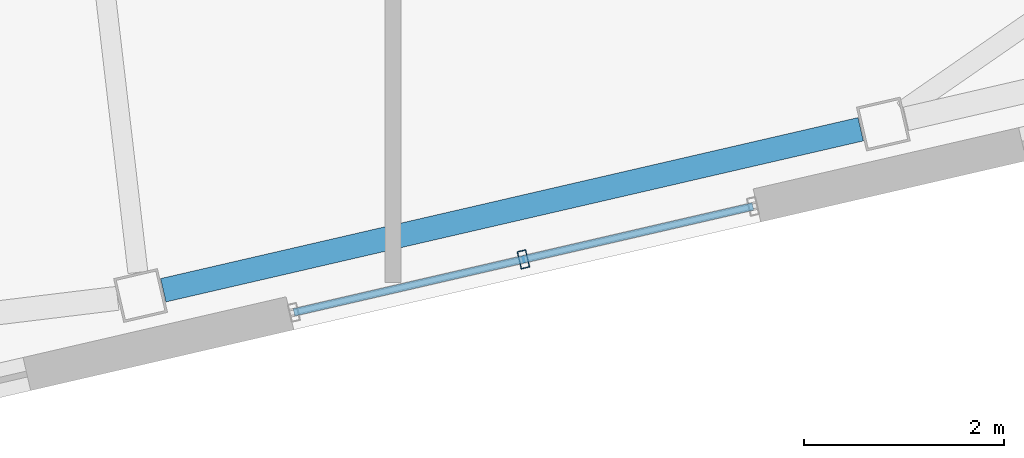
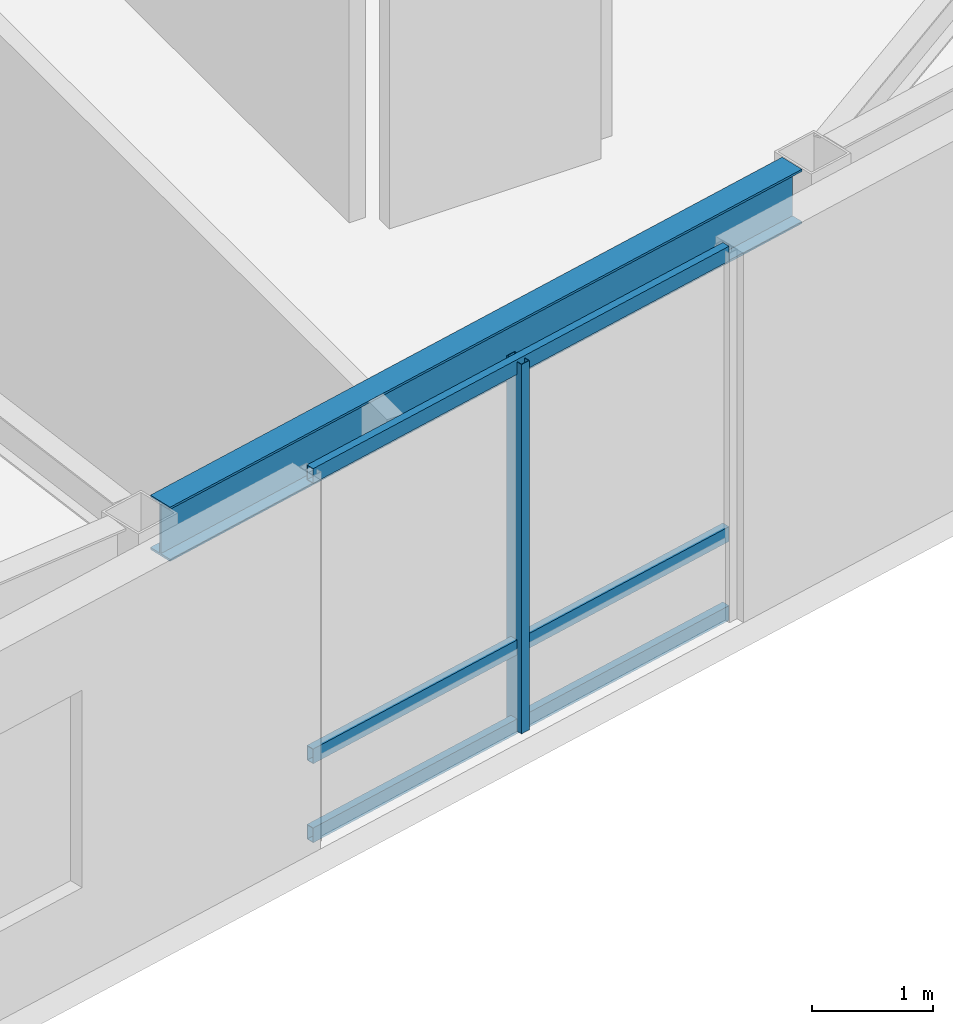
# One storey, part 9 of 22: 4 members, 1 beam, 1 element without a shape of its own.
"""IFC4 building model written with IfcOpenShell, lengths in metres."""

from ifc_helpers import new_model, si_unit, direction, frame, origin, origin_2d, place, context, subcontext, project, spatial, hollow_rectangle, i_section, extrude, material, layer, layer_set, material_profile, profile_set, type_object, element, aggregate, save


model = new_model("IFC4")

# Units and contexts
model_context = context("Model", 3, precision=1e-05, world=origin(), true_north=direction((0.0, 1.0)))
body_context = subcontext(model_context, "Body", "Model", "MODEL_VIEW")
ifc_project = project(units=[si_unit("LENGTHUNIT", "METRE"), si_unit("AREAUNIT", "SQUARE_METRE"), si_unit("VOLUMEUNIT", "CUBIC_METRE"), si_unit("PLANEANGLEUNIT", "RADIAN"), si_unit("MASSUNIT", "GRAM", prefix="KILO")], contexts=[model_context])

# Site, building, storey
site_placement = place(None, origin())
site = spatial("IfcSite", under=ifc_project, at=site_placement, CompositionType="ELEMENT")
building_placement = place(site_placement, origin())
building = spatial("IfcBuilding", under=site, at=building_placement, Name="Tavrogorsk Clinical Tower", CompositionType="ELEMENT")
storey_placement = place(building_placement, frame((0.0, 0.0, 317.0)))
storey = spatial("IfcBuildingStorey", under=building, at=storey_placement, Name="L74", CompositionType="ELEMENT", Elevation=317.0)

# Curtain wall, members
ifc_material_1 = material(Name="Anodised aluminium and triple IGU glazing", Category="aluminium")
ifc_layer = layer(ifc_material_1, 0.179931640625)
ifc_layer_set = layer_set([ifc_layer], Name="Anodised aluminium and triple IGU glazing")
curtain_wall_type = type_object("IfcCurtainWallType", Name="CW3_SouthSlot", PredefinedType="NOTDEFINED", material=ifc_layer_set)
curtain_wall_placement = place(storey_placement, origin())
curtain_wall = element("IfcCurtainWall", 1, at=curtain_wall_placement, inside=storey, type_object=curtain_wall_type, Name="L74 Curtain Wall CW-L74-S-SLOT-2", PredefinedType="NOTDEFINED")
ifc_material_2 = material(Name="Anodised aluminium alloy AW-6060", Category="aluminium")
ifc_material_profile_1 = material_profile(ifc_material_2, hollow_rectangle(XDim=0.090087890625, YDim=0.179931640625, WallThickness=0.00634765625, at=origin_2d()), Name="RHS-180x90x6.3")
ifc_profile_set_1 = profile_set([ifc_material_profile_1], Name="Anodised aluminium alloy AW-6060")
member_type_1 = type_object("IfcMemberType", Name="CwMullion_180x90", PredefinedType="MULLION", material=ifc_profile_set_1)
member_1_placement = place(storey_placement, frame((10.106689453125, -22.03515625, 0.0), z_axis=(0.0, 0.0, 1.0), x_axis=(0.974370057377, 0.224951086434, 0.0)))
member_1 = element("IfcMember", 2, at=member_1_placement, type_object=member_type_1, Name="CW-L74-S-SLOT-2 Mullion 2", PredefinedType="MULLION", context=body_context, shape_type="SweptSolid", body=[
    extrude(hollow_rectangle(XDim=0.090087890625, YDim=0.179931640625, WallThickness=0.00634765625, at=origin_2d()), origin(), (0.0, 0.0, 1.0), 3.739990234375),
])
ifc_material_3 = material(Name="Anodised aluminium alloy AW-6060", Category="aluminium")
ifc_material_profile_2 = material_profile(ifc_material_3, hollow_rectangle(XDim=0.074951171875, YDim=0.14990234375, WallThickness=0.0048828125, at=origin_2d()), Name="RHS-150x75x5")
ifc_profile_set_2 = profile_set([ifc_material_profile_2], Name="Anodised aluminium alloy AW-6060")
member_type_2 = type_object("IfcMemberType", Name="CwTransom_150x75", PredefinedType="USERDEFINED", material=ifc_profile_set_2)
member_2_placement = place(storey_placement, frame((7.80810546875, -22.56591796875, 0.050048828125), z_axis=(0.974372877948, 0.22493886885, 0.0), x_axis=(-0.22493886885, 0.974372877948, 0.0)))
member_2 = element("IfcMember", 3, at=member_2_placement, type_object=member_type_2, Name="CW-L74-S-SLOT-2 Transom 1", ObjectType="TRANSOM", PredefinedType="USERDEFINED", context=body_context, shape_type="SweptSolid", body=[
    extrude(hollow_rectangle(XDim=0.074951171875, YDim=0.14990234375, WallThickness=0.0048828125, at=origin_2d()), origin(), (0.0, 0.0, 1.0), 4.718017578125),
])
member_3_placement = place(storey_placement, frame((7.80810546875, -22.56591796875, 0.85009765625), z_axis=(0.974372877948, 0.22493886885, 0.0), x_axis=(-0.22493886885, 0.974372877948, 0.0)))
member_3 = element("IfcMember", 4, at=member_3_placement, type_object=member_type_2, Name="CW-L74-S-SLOT-2 Transom 2", ObjectType="TRANSOM", PredefinedType="USERDEFINED", context=body_context, shape_type="SweptSolid", body=[
    extrude(hollow_rectangle(XDim=0.074951171875, YDim=0.14990234375, WallThickness=0.0048828125, at=origin_2d()), origin(), (0.0, 0.0, 1.0), 4.718017578125),
])
member_4_placement = place(storey_placement, frame((7.80810546875, -22.56591796875, 3.68994140625), z_axis=(0.974372877948, 0.22493886885, 0.0), x_axis=(-0.22493886885, 0.974372877948, 0.0)))
member_4 = element("IfcMember", 5, at=member_4_placement, type_object=member_type_2, Name="CW-L74-S-SLOT-2 Transom 3", ObjectType="TRANSOM", PredefinedType="USERDEFINED", context=body_context, shape_type="SweptSolid", body=[
    extrude(hollow_rectangle(XDim=0.074951171875, YDim=0.14990234375, WallThickness=0.0048828125, at=origin_2d()), origin(), (0.0, 0.0, 1.0), 4.718017578125),
])
aggregate(curtain_wall, [member_1, member_2, member_3, member_4])

# Beam
ifc_material_4 = material(Name="Structural steel S390", Category="steel")
ifc_material_profile_3 = material_profile(ifc_material_4, i_section(OverallWidth=0.239990234375, OverallDepth=0.550048828125, WebThickness=0.013916015625, FlangeThickness=0.02197265625, at=origin_2d()), Name="B-550x240x14x22")
ifc_profile_set_3 = profile_set([ifc_material_profile_3], Name="Structural steel S390")
beam_type = type_object("IfcBeamType", Name="SpandrelBeam_B550", PredefinedType="SPANDREL", material=ifc_profile_set_3)
beam_placement = place(storey_placement, frame((6.499755859375, -22.344482421875, 3.465087890625), z_axis=(0.974369378592, 0.224954026551, 0.0), x_axis=(-0.224954026551, 0.974369378592, 0.0)))
element("IfcBeam", 6, at=beam_placement, inside=storey, type_object=beam_type, Name="L74 Perimeter Spandrel S5-S6", PredefinedType="SPANDREL", context=body_context, shape_type="SweptSolid", body=[
    extrude(i_section(OverallWidth=0.239990234375, OverallDepth=0.550048828125, WebThickness=0.013916015625, FlangeThickness=0.02197265625, at=origin_2d()), origin(), (0.0, 0.0, 1.0), 7.16845703125),
])

save(model, "model.ifc")
